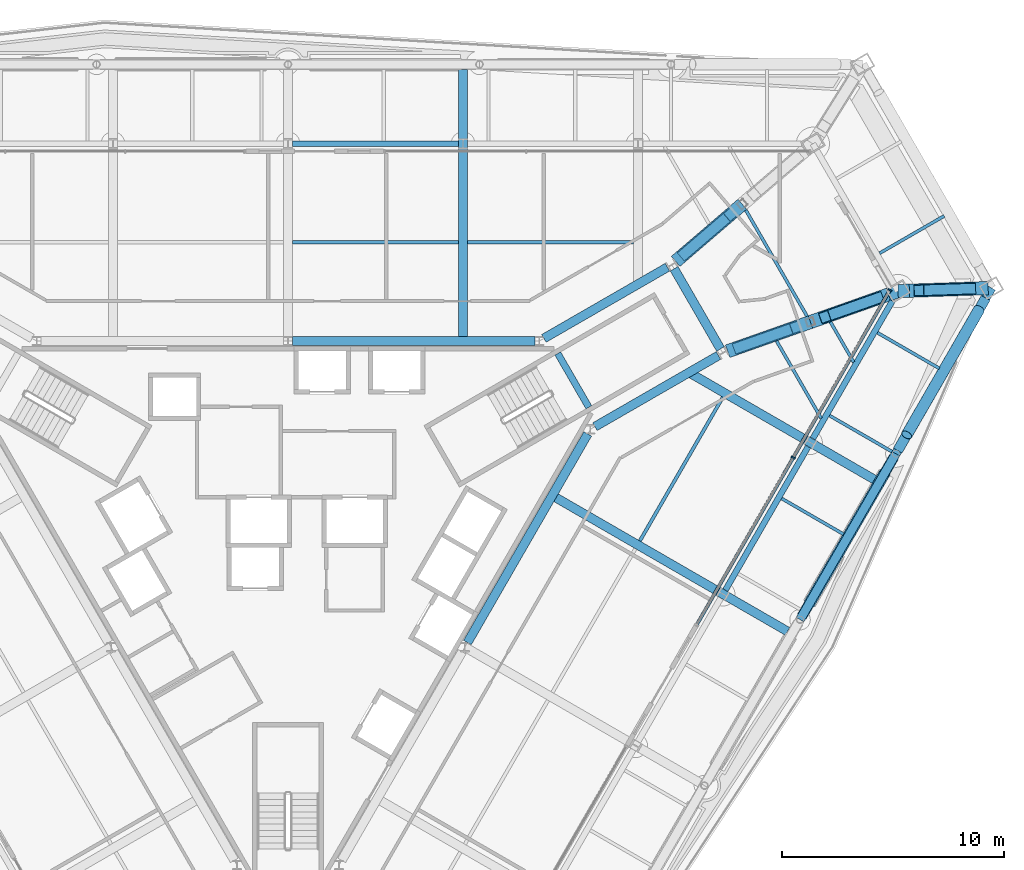
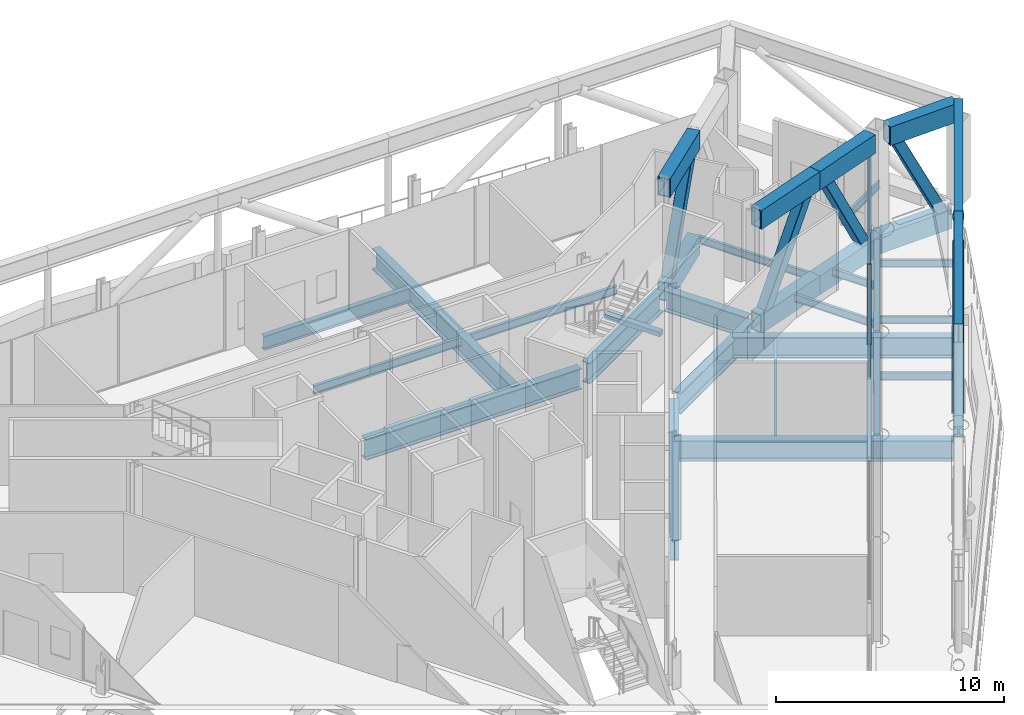
# One storey, part 13 of 26: 34 beams, 10 members, 1 element without a shape of its own.
"""IFC4 building model written with IfcOpenShell, lengths in metres."""

from ifc_helpers import new_model, si_unit, direction, frame, origin, origin_2d, place, context, subcontext, project, spatial, rectangle, hollow_rectangle, hollow_circle, i_section, extrude, material, material_profile, profile_set, type_object, element, aggregate, save


model = new_model("IFC4")

# Units and contexts
model_context = context("Model", 3, precision=1e-05, world=origin(), true_north=direction((0.0, 1.0)))
body_context = subcontext(model_context, "Body", "Model", "MODEL_VIEW")
ifc_project = project(units=[si_unit("LENGTHUNIT", "METRE"), si_unit("AREAUNIT", "SQUARE_METRE"), si_unit("VOLUMEUNIT", "CUBIC_METRE"), si_unit("PLANEANGLEUNIT", "RADIAN"), si_unit("MASSUNIT", "GRAM", prefix="KILO")], contexts=[model_context])

# Site, building, storey
site_placement = place(None, origin())
site = spatial("IfcSite", under=ifc_project, at=site_placement, CompositionType="ELEMENT")
building_placement = place(site_placement, origin())
building = spatial("IfcBuilding", under=site, at=building_placement, Name="Verrane Prism Tower", CompositionType="ELEMENT")
storey_placement = place(building_placement, frame((0.0, 0.0, 87.199951171875)))
storey = spatial("IfcBuildingStorey", under=building, at=storey_placement, Name="L20", CompositionType="ELEMENT", Elevation=87.199951171875)

# Beams
ifc_material_1 = material(Name="Steel A992", Category="steel")
ifc_material_profile_1 = material_profile(ifc_material_1, i_section(OverallWidth=0.45458984375, OverallDepth=0.56884765625, WebThickness=0.077880859375, FlangeThickness=0.124755859375, FilletRadius=0.01513671875, at=origin_2d()), Name="W14x730")
ifc_profile_set_1 = profile_set([ifc_material_profile_1], Name="Steel A992")
beam_type_1 = type_object("IfcBeamType", Name="Belt truss chord W14x730", PredefinedType="BEAM", material=ifc_profile_set_1)
beam_1_placement = place(storey_placement, frame((23.161376953125, -3.21923828125, -0.445556640625), z_axis=(0.500106328585, 0.865964006244, 0.0), x_axis=(-0.865964006244, 0.500106328585, 0.0)))
element("IfcBeam", 1, at=beam_1_placement, inside=storey, type_object=beam_type_1, Name="Belt truss chord L20", PredefinedType="BEAM", context=body_context, shape_type="SweptSolid", body=[
    extrude(i_section(OverallWidth=0.45458984375, OverallDepth=0.56884765625, WebThickness=0.077880859375, FlangeThickness=0.124755859375, FilletRadius=0.01513671875, at=origin_2d()), origin(), (0.0, 0.0, 1.0), 8.312744140625),
])
beam_2_placement = place(storey_placement, frame((27.481201171875, 4.2607421875, -0.445556640625), z_axis=(0.499746404185, 0.866171767898, 0.0), x_axis=(-0.866171767898, 0.499746404185, 0.0)))
element("IfcBeam", 2, at=beam_2_placement, inside=storey, type_object=beam_type_1, Name="Belt truss chord L20", PredefinedType="BEAM", context=body_context, shape_type="SweptSolid", body=[
    extrude(i_section(OverallWidth=0.45458984375, OverallDepth=0.56884765625, WebThickness=0.077880859375, FlangeThickness=0.124755859375, FilletRadius=0.01513671875, at=origin_2d()), origin(), (0.0, 0.0, 1.0), 7.94189453125),
])
ifc_material_2 = material(Name="Steel A992", Category="steel")
ifc_material_profile_2 = material_profile(ifc_material_2, i_section(OverallWidth=0.4013671875, OverallDepth=1.000732421875, WebThickness=0.01904296875, FlangeThickness=0.0361328125, FilletRadius=0.030029296875, at=origin_2d()), Name="W40x249")
ifc_profile_set_2 = profile_set([ifc_material_profile_2], Name="Steel A992")
beam_type_2 = type_object("IfcBeamType", Name="Belt truss chord W40x249", PredefinedType="BEAM", material=ifc_profile_set_2)
beam_3_placement = place(storey_placement, frame((23.080078125, -3.360107421875, 4.939697265625), z_axis=(0.500096766669, 0.865969528313, 0.0), x_axis=(-0.865969528313, 0.500096766669, 0.0)))
element("IfcBeam", 3, at=beam_3_placement, inside=storey, type_object=beam_type_2, Name="Belt truss chord L20", PredefinedType="BEAM", context=body_context, shape_type="SweptSolid", body=[
    extrude(i_section(OverallWidth=0.4013671875, OverallDepth=1.000732421875, WebThickness=0.01904296875, FlangeThickness=0.0361328125, FilletRadius=0.030029296875, at=origin_2d()), origin(), (0.0, 0.0, 1.0), 8.637939453125),
])
beam_4_placement = place(storey_placement, frame((27.39990234375, 4.1201171875, 4.939697265625), z_axis=(0.499762481073, 0.866162491979, 0.0), x_axis=(-0.866162491979, 0.499762481073, 0.0)))
element("IfcBeam", 4, at=beam_4_placement, inside=storey, type_object=beam_type_2, Name="Belt truss chord L20", PredefinedType="BEAM", context=body_context, shape_type="SweptSolid", body=[
    extrude(i_section(OverallWidth=0.4013671875, OverallDepth=1.000732421875, WebThickness=0.01904296875, FlangeThickness=0.0361328125, FilletRadius=0.030029296875, at=origin_2d()), origin(), (0.0, 0.0, 1.0), 8.624267578125),
])

# Members
ifc_material_3 = material(Name="Steel A500 Grade C", Category="steel")
ifc_material_profile_3 = material_profile(ifc_material_3, hollow_circle(Radius=0.25390625, WallThickness=0.0126953125, at=origin_2d()), Name="HSS20.000x0.500")
ifc_profile_set_3 = profile_set([ifc_material_profile_3], Name="Steel A500 Grade C")
member_type_1 = type_object("IfcMemberType", Name="Belt truss diagonal HSS20.000x0.500", PredefinedType="BRACE", material=ifc_profile_set_3)
member_1_placement = place(storey_placement, frame((23.50341796875, -2.626708984375, -0.160888671875), z_axis=(0.410981497335, 0.711574303838, 0.569873862329), x_axis=(-0.865944304384, 0.500140441981, 0.0)))
element("IfcMember", 5, at=member_1_placement, inside=storey, type_object=member_type_1, Name="Belt truss diagonal L20", PredefinedType="BRACE", context=body_context, shape_type="SweptSolid", body=[
    extrude(hollow_circle(Radius=0.25390625, WallThickness=0.0126953125, at=origin_2d()), origin(), (0.0, 0.0, 1.0), 8.264892578125),
])
member_2_placement = place(storey_placement, frame((31.151123046875, 10.621337890625, -0.160888671875), z_axis=(-0.405277647184, -0.70243475166, 0.585094392687), x_axis=(0.866171265767, -0.499747274489, 0.0)))
element("IfcMember", 6, at=member_2_placement, inside=storey, type_object=member_type_1, Name="Belt truss diagonal L20", PredefinedType="BRACE", context=body_context, shape_type="SweptSolid", body=[
    extrude(hollow_circle(Radius=0.25390625, WallThickness=0.0126953125, at=origin_2d()), origin(), (0.0, 0.0, 1.0), 8.0498046875),
])

# Beams
ifc_material_4 = material(Name="Steel A992", Category="steel")
ifc_material_profile_4 = material_profile(ifc_material_4, i_section(OverallWidth=0.140380859375, OverallDepth=0.40380859375, WebThickness=0.007080078125, FlangeThickness=0.01123046875, FilletRadius=0.01025390625, at=origin_2d()), Name="W16x31")
ifc_profile_set_4 = profile_set([ifc_material_profile_4], Name="Steel A992")
beam_type_3 = type_object("IfcBeamType", Name="Floor beam W16x31", PredefinedType="BEAM", material=ifc_profile_set_4)
beam_5_placement = place(storey_placement, frame((29.356201171875, 7.9658203125, -0.36181640625), z_axis=(-0.866021328928, 0.500007057792, 0.0), x_axis=(-0.500007057792, -0.866021328928, 0.0)))
element("IfcBeam", 7, at=beam_5_placement, inside=storey, type_object=beam_type_3, Name="Floor beam L20", PredefinedType="BEAM", context=body_context, shape_type="SweptSolid", body=[
    extrude(i_section(OverallWidth=0.140380859375, OverallDepth=0.40380859375, WebThickness=0.007080078125, FlangeThickness=0.01123046875, FilletRadius=0.01025390625, at=origin_2d()), origin(), (0.0, 0.0, 1.0), 3.2177734375),
])
beam_6_placement = place(storey_placement, frame((27.222900390625, 4.21435546875, -0.36181640625), z_axis=(-0.866024162539, 0.500002149894, 0.0), x_axis=(-0.500002149894, -0.866024162539, 0.0)))
element("IfcBeam", 8, at=beam_6_placement, inside=storey, type_object=beam_type_3, Name="Floor beam L20", PredefinedType="BEAM", context=body_context, shape_type="SweptSolid", body=[
    extrude(i_section(OverallWidth=0.140380859375, OverallDepth=0.40380859375, WebThickness=0.007080078125, FlangeThickness=0.01123046875, FilletRadius=0.01025390625, at=origin_2d()), origin(), (0.0, 0.0, 1.0), 3.2490234375),
])
beam_7_placement = place(storey_placement, frame((25.041259765625, 0.49072265625, -0.36181640625), z_axis=(-0.866024054344, 0.500002337291, 0.0), x_axis=(-0.500002337291, -0.866024054344, 0.0)))
element("IfcBeam", 9, at=beam_7_placement, inside=storey, type_object=beam_type_3, Name="Floor beam L20", PredefinedType="BEAM", context=body_context, shape_type="SweptSolid", body=[
    extrude(i_section(OverallWidth=0.140380859375, OverallDepth=0.40380859375, WebThickness=0.007080078125, FlangeThickness=0.01123046875, FilletRadius=0.01025390625, at=origin_2d()), origin(), (0.0, 0.0, 1.0), 3.2216796875),
])
beam_8_placement = place(storey_placement, frame((25.49658203125, 8.25244140625, -0.36181640625), z_axis=(-0.500084280142, 0.865976739154, 0.0), x_axis=(-0.865976739154, -0.500084280142, 0.0)))
element("IfcBeam", 10, at=beam_8_placement, inside=storey, type_object=beam_type_3, Name="Floor beam L20", PredefinedType="BEAM", context=body_context, shape_type="SweptSolid", body=[
    extrude(i_section(OverallWidth=0.140380859375, OverallDepth=0.40380859375, WebThickness=0.007080078125, FlangeThickness=0.01123046875, FilletRadius=0.01025390625, at=origin_2d()), origin(), (0.0, 0.0, 1.0), 2.083251953125),
])
beam_9_placement = place(storey_placement, frame((24.0322265625, 5.720703125, -0.36181640625), z_axis=(-0.499990884667, 0.866030666461, 0.0), x_axis=(-0.866030666461, -0.499990884667, 0.0)))
element("IfcBeam", 11, at=beam_9_placement, inside=storey, type_object=beam_type_3, Name="Floor beam L20", PredefinedType="BEAM", context=body_context, shape_type="SweptSolid", body=[
    extrude(i_section(OverallWidth=0.140380859375, OverallDepth=0.40380859375, WebThickness=0.007080078125, FlangeThickness=0.01123046875, FilletRadius=0.01025390625, at=origin_2d()), origin(), (0.0, 0.0, 1.0), 4.01513671875),
])
beam_10_placement = place(storey_placement, frame((26.667236328125, 13.15673828125, -0.36181640625), z_axis=(0.866047615473, 0.499961526254, 0.0), x_axis=(-0.499961526254, 0.866047615473, 0.0)))
element("IfcBeam", 12, at=beam_10_placement, inside=storey, type_object=beam_type_3, Name="Floor beam L20", PredefinedType="BEAM", context=body_context, shape_type="SweptSolid", body=[
    extrude(i_section(OverallWidth=0.140380859375, OverallDepth=0.40380859375, WebThickness=0.007080078125, FlangeThickness=0.01123046875, FilletRadius=0.01025390625, at=origin_2d()), origin(), (0.0, 0.0, 1.0), 3.359130859375),
])
beam_11_placement = place(storey_placement, frame((23.396484375, 10.319091796875, -0.36181640625), z_axis=(-0.499999210213, 0.866025859768, 0.0), x_axis=(-0.866025859768, -0.499999210213, 0.0)))
element("IfcBeam", 13, at=beam_11_placement, inside=storey, type_object=beam_type_3, Name="Floor beam L20", PredefinedType="BEAM", context=body_context, shape_type="SweptSolid", body=[
    extrude(i_section(OverallWidth=0.140380859375, OverallDepth=0.40380859375, WebThickness=0.007080078125, FlangeThickness=0.01123046875, FilletRadius=0.01025390625, at=origin_2d()), origin(), (0.0, 0.0, 1.0), 5.5234375),
])
ifc_material_5 = material(Name="Steel A992", Category="steel")
ifc_material_profile_5 = material_profile(ifc_material_5, i_section(OverallWidth=0.15234375, OverallDepth=0.449462890625, WebThickness=0.007568359375, FlangeThickness=0.0107421875, FilletRadius=0.01025390625, at=origin_2d()), Name="W18x35")
ifc_profile_set_5 = profile_set([ifc_material_profile_5], Name="Steel A992")
beam_type_4 = type_object("IfcBeamType", Name="Floor beam W18x35", PredefinedType="BEAM", material=ifc_profile_set_5)
beam_12_placement = place(storey_placement, frame((8.092041015625, 13.64501953125, -0.384765625), z_axis=(1.0, 0.0, 0.0), x_axis=(0.0, 1.0, 0.0)))
element("IfcBeam", 14, at=beam_12_placement, inside=storey, type_object=beam_type_4, Name="Floor beam L20", PredefinedType="BEAM", context=body_context, shape_type="SweptSolid", body=[
    extrude(i_section(OverallWidth=0.15234375, OverallDepth=0.449462890625, WebThickness=0.007568359375, FlangeThickness=0.0107421875, FilletRadius=0.01025390625, at=origin_2d()), origin(), (0.0, 0.0, 1.0), 7.48583984375),
])
beam_13_placement = place(storey_placement, frame((0.201904296875, 13.64501953125, -0.384765625), z_axis=(1.0, 0.0, 0.0), x_axis=(0.0, 1.0, 0.0)))
element("IfcBeam", 15, at=beam_13_placement, inside=storey, type_object=beam_type_4, Name="Floor beam L20", PredefinedType="BEAM", context=body_context, shape_type="SweptSolid", body=[
    extrude(i_section(OverallWidth=0.15234375, OverallDepth=0.449462890625, WebThickness=0.007568359375, FlangeThickness=0.0107421875, FilletRadius=0.01025390625, at=origin_2d()), origin(), (0.0, 0.0, 1.0), 7.486083984375),
])
beam_14_placement = place(storey_placement, frame((15.86083984375, 0.18994140625, -0.384765625), z_axis=(0.499988150718, 0.866032244863, 0.0), x_axis=(-0.866032244863, 0.499988150718, 0.0)))
element("IfcBeam", 16, at=beam_14_placement, inside=storey, type_object=beam_type_4, Name="Floor beam L20", PredefinedType="BEAM", context=body_context, shape_type="SweptSolid", body=[
    extrude(i_section(OverallWidth=0.15234375, OverallDepth=0.449462890625, WebThickness=0.007568359375, FlangeThickness=0.0107421875, FilletRadius=0.01025390625, at=origin_2d()), origin(), (0.0, 0.0, 1.0), 7.476806640625),
])

# Curtain wall, members
ifc_material_6 = material(Name="Aluminium framed insulated glazing", Category="aluminium")
curtain_wall_type = type_object("IfcCurtainWallType", Name="Curtain wall CW-A 8400 module", PredefinedType="NOTDEFINED", material=ifc_material_6)
curtain_wall_placement = place(storey_placement, origin())
curtain_wall = element("IfcCurtainWall", 17, at=curtain_wall_placement, inside=storey, type_object=curtain_wall_type, Name="Refuge lounge glazing south-east face L20 3", PredefinedType="NOTDEFINED")
ifc_material_7 = material(Name="Aluminium alloy 6063-T6", Category="aluminium")
ifc_material_profile_6 = material_profile(ifc_material_7, rectangle(XDim=0.199951171875, YDim=0.070068359375, at=origin_2d()), Name="Mullion 70x200 aluminium")
ifc_profile_set_6 = profile_set([ifc_material_profile_6], Name="Aluminium alloy 6063-T6")
member_type_2 = type_object("IfcMemberType", Name="Mullion 70x200 aluminium", PredefinedType="MULLION", material=ifc_profile_set_6)
member_3_placement = place(storey_placement, frame((22.776123046875, 3.947265625, 0.0), z_axis=(0.0, 0.0, 1.0), x_axis=(-0.86602655117, 0.499998012664, 0.0)))
member_3 = element("IfcMember", 18, at=member_3_placement, type_object=member_type_2, Name="CW20.6.3 mullion 2", PredefinedType="MULLION", context=body_context, shape_type="SweptSolid", body=[
    extrude(rectangle(XDim=0.199951171875, YDim=0.070068359375, at=origin_2d()), origin(), (0.0, 0.0, 1.0), 4.322509765625),
])
member_4_placement = place(storey_placement, frame((27.1328125, 11.493408203125, 0.0), z_axis=(0.0, 0.0, 1.0), x_axis=(-0.86602655117, 0.499998012664, 0.0)))
member_4 = element("IfcMember", 19, at=member_4_placement, type_object=member_type_2, Name="CW20.6.3 mullion 3", PredefinedType="MULLION", context=body_context, shape_type="SweptSolid", body=[
    extrude(rectangle(XDim=0.199951171875, YDim=0.070068359375, at=origin_2d()), origin(), (0.0, 0.0, 1.0), 4.322509765625),
])

# Beams
ifc_material_8 = material(Name="Steel A572 Grade 50", Category="steel")
ifc_material_profile_7 = material_profile(ifc_material_8, hollow_rectangle(XDim=0.60009765625, YDim=1.0, WallThickness=0.06005859375, at=origin_2d()), Name="BOX 1000x600x60")
ifc_profile_set_7 = profile_set([ifc_material_profile_7], Name="Steel A572 Grade 50")
beam_type_5 = type_object("IfcBeamType", Name="Outrigger truss chord BOX 1000x600x60", PredefinedType="BEAM", material=ifc_profile_set_7)
beam_15_placement = place(storey_placement, frame((31.2001953125, 11.572998046875, -0.659912109375), z_axis=(-0.999447538686, -0.033235785134, 0.0), x_axis=(0.033235785134, -0.999447538686, 0.0)))
element("IfcBeam", 20, at=beam_15_placement, inside=storey, type_object=beam_type_5, Name="Outrigger truss chord L20", PredefinedType="BEAM", context=body_context, shape_type="SweptSolid", body=[
    extrude(hollow_rectangle(XDim=0.60009765625, YDim=1.0, WallThickness=0.06005859375, at=origin_2d()), origin(), (0.0, 0.0, 1.0), 3.7021484375),
])
beam_16_placement = place(storey_placement, frame((27.5, 11.449951171875, -0.659912109375), z_axis=(-0.942921452656, -0.33301521605, 0.0), x_axis=(0.33301521605, -0.942921452656, 0.0)))
element("IfcBeam", 21, at=beam_16_placement, inside=storey, type_object=beam_type_5, Name="Outrigger truss chord L20", PredefinedType="BEAM", context=body_context, shape_type="SweptSolid", body=[
    extrude(hollow_rectangle(XDim=0.60009765625, YDim=1.0, WallThickness=0.06005859375, at=origin_2d()), origin(), (0.0, 0.0, 1.0), 4.18896484375),
])
beam_17_placement = place(storey_placement, frame((23.550048828125, 10.054931640625, -0.659912109375), z_axis=(-0.942933378787, -0.332981445682, 0.0), x_axis=(0.332981445682, -0.942933378787, 0.0)))
element("IfcBeam", 22, at=beam_17_placement, inside=storey, type_object=beam_type_5, Name="Outrigger truss chord L20", PredefinedType="BEAM", context=body_context, shape_type="SweptSolid", body=[
    extrude(hollow_rectangle(XDim=0.60009765625, YDim=1.0, WallThickness=0.06005859375, at=origin_2d()), origin(), (0.0, 0.0, 1.0), 3.957763671875),
])
beam_18_placement = place(storey_placement, frame((31.56005859375, 11.5849609375, 4.93994140625), z_axis=(-0.999448866464, -0.033195832932, 0.0), x_axis=(0.033195832932, -0.999448866464, 0.0)))
element("IfcBeam", 23, at=beam_18_placement, inside=storey, type_object=beam_type_5, Name="Outrigger truss chord L20", PredefinedType="BEAM", context=body_context, shape_type="SweptSolid", body=[
    extrude(hollow_rectangle(XDim=0.60009765625, YDim=1.0, WallThickness=0.06005859375, at=origin_2d()), origin(), (0.0, 0.0, 1.0), 3.55224609375),
])
beam_19_placement = place(storey_placement, frame((27.068359375, 11.297607421875, 4.93994140625), z_axis=(-0.942912999978, -0.333039148559, 0.0), x_axis=(0.333039148559, -0.942912999978, 0.0)))
element("IfcBeam", 24, at=beam_19_placement, inside=storey, type_object=beam_type_5, Name="Outrigger truss chord L20", PredefinedType="BEAM", context=body_context, shape_type="SweptSolid", body=[
    extrude(hollow_rectangle(XDim=0.60009765625, YDim=1.0, WallThickness=0.06005859375, at=origin_2d()), origin(), (0.0, 0.0, 1.0), 3.731201171875),
])
beam_20_placement = place(storey_placement, frame((23.550048828125, 10.054931640625, 4.93994140625), z_axis=(-0.942933378787, -0.332981445682, 0.0), x_axis=(0.332981445682, -0.942933378787, 0.0)))
element("IfcBeam", 25, at=beam_20_placement, inside=storey, type_object=beam_type_5, Name="Outrigger truss chord L20", PredefinedType="BEAM", context=body_context, shape_type="SweptSolid", body=[
    extrude(hollow_rectangle(XDim=0.60009765625, YDim=1.0, WallThickness=0.06005859375, at=origin_2d()), origin(), (0.0, 0.0, 1.0), 3.957763671875),
])
for number, where, z_axis, x_axis, name in (
    (26, (20.47998046875, 15.364990234375, -0.659912109375), (-0.759348064217, -0.650684652785, 0.0), (0.650684652785, -0.759348064217, 0.0), "Outrigger truss chord L20"),
    (27, (20.47998046875, 15.364990234375, 4.93994140625), (-0.759348064217, -0.650684652785, 0.0), (0.650684652785, -0.759348064217, 0.0), "Outrigger truss chord L20"),
):
    element("IfcBeam", number, at=place(storey_placement, frame(where, z_axis=z_axis, x_axis=x_axis)), inside=storey, type_object=beam_type_5, Name=name, PredefinedType="BEAM", context=body_context, shape_type="SweptSolid", body=[
        extrude(hollow_rectangle(XDim=0.60009765625, YDim=1.0, WallThickness=0.06005859375, at=origin_2d()), origin(), (0.0, 0.0, 1.0), 3.95654296875),
    ])

# Members
ifc_material_9 = material(Name="Steel A500 Grade C", Category="steel")
ifc_material_profile_8 = material_profile(ifc_material_9, hollow_rectangle(XDim=0.508056640625, YDim=0.508056640625, WallThickness=0.01904296875, InnerFilletRadius=0.009521484375, OuterFilletRadius=0.028564453125, at=origin_2d()), Name="HSS20x20x3/4")
ifc_profile_set_8 = profile_set([ifc_material_profile_8], Name="Steel A500 Grade C")
member_type_3 = type_object("IfcMemberType", Name="Outrigger truss diagonal HSS20x20x3/4", PredefinedType="BRACE", material=ifc_profile_set_8)
member_5_placement = place(storey_placement, frame((30.769287109375, 11.55859375, -0.219970703125), z_axis=(-0.442390836034, -0.014703071401, 0.896701827747), x_axis=(0.033217138423, -0.999448158593, 0.0)))
element("IfcMember", 28, at=member_5_placement, inside=storey, type_object=member_type_3, Name="Outrigger truss diagonal L20", PredefinedType="BRACE", context=body_context, shape_type="SweptSolid", body=[
    extrude(hollow_rectangle(XDim=0.508056640625, YDim=0.508056640625, WallThickness=0.01904296875, InnerFilletRadius=0.009521484375, OuterFilletRadius=0.028564453125, at=origin_2d()), origin(), (0.0, 0.0, 1.0), 5.263671875),
])
member_6_placement = place(storey_placement, frame((26.593994140625, 11.130126953125, -0.219970703125), z_axis=(-0.446793456558, -0.157828456211, 0.880605351782), x_axis=(0.333076539981, -0.942899792403, 0.0)))
element("IfcMember", 29, at=member_6_placement, inside=storey, type_object=member_type_3, Name="Outrigger truss diagonal L20", PredefinedType="BRACE", context=body_context, shape_type="SweptSolid", body=[
    extrude(hollow_rectangle(XDim=0.508056640625, YDim=0.508056640625, WallThickness=0.01904296875, InnerFilletRadius=0.009521484375, OuterFilletRadius=0.028564453125, at=origin_2d()), origin(), (0.0, 0.0, 1.0), 5.35986328125),
])
member_7_placement = place(storey_placement, frame((20.3125, 8.91162109375, -0.219970703125), z_axis=(0.471770651239, 0.166602128594, 0.865838427986), x_axis=(-0.332988672441, 0.942930826745, 0.0)))
element("IfcMember", 30, at=member_7_placement, inside=storey, type_object=member_type_3, Name="Outrigger truss diagonal L20", PredefinedType="BRACE", context=body_context, shape_type="SweptSolid", body=[
    extrude(hollow_rectangle(XDim=0.508056640625, YDim=0.508056640625, WallThickness=0.01904296875, InnerFilletRadius=0.009521484375, OuterFilletRadius=0.028564453125, at=origin_2d()), origin(), (0.0, 0.0, 1.0), 5.451416015625),
])
member_8_placement = place(storey_placement, frame((17.873779296875, 13.131591796875, -0.219970703125), z_axis=(0.379780350266, 0.325449230455, 0.865938614423), x_axis=(-0.650702868135, 0.759332455122, 0.0)))
element("IfcMember", 31, at=member_8_placement, inside=storey, type_object=member_type_3, Name="Outrigger truss diagonal L20", PredefinedType="BRACE", context=body_context, shape_type="SweptSolid", body=[
    extrude(hollow_rectangle(XDim=0.508056640625, YDim=0.508056640625, WallThickness=0.01904296875, InnerFilletRadius=0.009521484375, OuterFilletRadius=0.028564453125, at=origin_2d()), origin(), (0.0, 0.0, 1.0), 5.45068359375),
])

# Beams
ifc_material_10 = material(Name="Steel A992", Category="steel")
ifc_material_profile_9 = material_profile(ifc_material_10, i_section(OverallWidth=0.2666015625, OverallDepth=0.7568359375, WebThickness=0.013916015625, FlangeThickness=0.019287109375, FilletRadius=0.0166015625, at=origin_2d()), Name="W30x108")
ifc_profile_set_9 = profile_set([ifc_material_profile_9], Name="Steel A992")
beam_type_6 = type_object("IfcBeamType", Name="Spandrel beam W30x108", PredefinedType="SPANDREL", material=ifc_profile_set_9)
beam_21_placement = place(storey_placement, frame((7.677978515625, 18.090087890625, -0.538330078125), z_axis=(-1.0, 0.0, 0.0), x_axis=(0.0, -1.0, 0.0)))
element("IfcBeam", 32, at=beam_21_placement, inside=storey, type_object=beam_type_6, Name="Spandrel beam L20", PredefinedType="SPANDREL", context=body_context, shape_type="SweptSolid", body=[
    extrude(i_section(OverallWidth=0.2666015625, OverallDepth=0.7568359375, WebThickness=0.013916015625, FlangeThickness=0.019287109375, FilletRadius=0.0166015625, at=origin_2d()), origin(), (0.0, 0.0, 1.0), 7.4658203125),
])
beam_22_placement = place(storey_placement, frame((19.716064453125, -2.0263671875, -0.538330078125), z_axis=(0.499679960224, 0.866210100005, 0.0), x_axis=(-0.866210100005, 0.499679960224, 0.0)))
element("IfcBeam", 33, at=beam_22_placement, inside=storey, type_object=beam_type_6, Name="Spandrel beam L20", PredefinedType="SPANDREL", context=body_context, shape_type="SweptSolid", body=[
    extrude(i_section(OverallWidth=0.2666015625, OverallDepth=0.7568359375, WebThickness=0.013916015625, FlangeThickness=0.019287109375, FilletRadius=0.0166015625, at=origin_2d()), origin(), (0.0, 0.0, 1.0), 7.4609375),
])
beam_23_placement = place(storey_placement, frame((23.65625, 4.8037109375, -0.538330078125), z_axis=(0.50063155155, 0.865660470157, 0.0), x_axis=(-0.865660470157, 0.50063155155, 0.0)))
element("IfcBeam", 34, at=beam_23_placement, inside=storey, type_object=beam_type_6, Name="Spandrel beam L20", PredefinedType="SPANDREL", context=body_context, shape_type="SweptSolid", body=[
    extrude(i_section(OverallWidth=0.2666015625, OverallDepth=0.7568359375, WebThickness=0.013916015625, FlangeThickness=0.019287109375, FilletRadius=0.0166015625, at=origin_2d()), origin(), (0.0, 0.0, 1.0), 7.158447265625),
])
ifc_material_11 = material(Name="Concrete C40/50", Category="concrete")
ifc_material_profile_10 = material_profile(ifc_material_11, rectangle(XDim=0.300048828125, YDim=0.25, at=origin_2d()), Name="RC 300x250")
ifc_profile_set_10 = profile_set([ifc_material_profile_10], Name="Concrete C40/50")
beam_type_7 = type_object("IfcBeamType", Name="Stair landing trimmer beam 300x250 concrete C40/50", PredefinedType="BEAM", material=ifc_profile_set_10)
beam_24_placement = place(storey_placement, frame((12.160400390625, 8.637451171875, 2.47509765625), z_axis=(0.500049511043, -0.865996816683, 0.0), x_axis=(0.865996816683, 0.500049511043, 0.0)))
element("IfcBeam", 35, at=beam_24_placement, inside=storey, type_object=beam_type_7, Name="Stair 1 landing trimmer beam", PredefinedType="BEAM", context=body_context, shape_type="SweptSolid", body=[
    extrude(rectangle(XDim=0.300048828125, YDim=0.25, at=origin_2d()), origin(), (0.0, 0.0, 1.0), 2.800048828125),
])
ifc_material_12 = material(Name="Steel A992", Category="steel")
ifc_material_profile_11 = material_profile(ifc_material_12, i_section(OverallWidth=0.40380859375, OverallDepth=1.11767578125, WebThickness=0.026123046875, FlangeThickness=0.044921875, FilletRadius=0.02001953125, at=origin_2d()), Name="W44x335")
ifc_profile_set_11 = profile_set([ifc_material_profile_11], Name="Steel A992")
beam_type_8 = type_object("IfcBeamType", Name="Transfer girder W44x335", PredefinedType="BEAM", material=ifc_profile_set_11)
beam_25_placement = place(storey_placement, frame((13.833251953125, 5.337158203125, -0.808837890625), z_axis=(0.86646365882, 0.499240150574, 0.0), x_axis=(-0.499240150574, 0.86646365882, 0.0)))
element("IfcBeam", 36, at=beam_25_placement, inside=storey, type_object=beam_type_8, Name="Transfer girder L20", PredefinedType="BEAM", context=body_context, shape_type="SweptSolid", body=[
    extrude(i_section(OverallWidth=0.40380859375, OverallDepth=1.11767578125, WebThickness=0.026123046875, FlangeThickness=0.044921875, FilletRadius=0.02001953125, at=origin_2d()), origin(), (0.0, 0.0, 1.0), 6.42822265625),
])
beam_26_placement = place(storey_placement, frame((19.4951171875, 8.84130859375, -0.808837890625), z_axis=(-0.500349643494, 0.865823442888, 0.0), x_axis=(-0.865823442888, -0.500349643494, 0.0)))
element("IfcBeam", 37, at=beam_26_placement, inside=storey, type_object=beam_type_8, Name="Transfer girder L20", PredefinedType="BEAM", context=body_context, shape_type="SweptSolid", body=[
    extrude(i_section(OverallWidth=0.40380859375, OverallDepth=1.11767578125, WebThickness=0.026123046875, FlangeThickness=0.044921875, FilletRadius=0.02001953125, at=origin_2d()), origin(), (0.0, 0.0, 1.0), 4.177734375),
])
beam_27_placement = place(storey_placement, frame((17.10302734375, 12.526611328125, -0.808837890625), z_axis=(-0.866447229751, -0.499268663203, 0.0), x_axis=(0.499268663203, -0.866447229751, 0.0)))
element("IfcBeam", 38, at=beam_27_placement, inside=storey, type_object=beam_type_8, Name="Transfer girder L20", PredefinedType="BEAM", context=body_context, shape_type="SweptSolid", body=[
    extrude(i_section(OverallWidth=0.40380859375, OverallDepth=1.11767578125, WebThickness=0.026123046875, FlangeThickness=0.044921875, FilletRadius=0.02001953125, at=origin_2d()), origin(), (0.0, 0.0, 1.0), 6.428466796875),
])
beam_28_placement = place(storey_placement, frame((11.126708984375, 9.199951171875, -0.808837890625), z_axis=(-1.0, 0.0, 0.0), x_axis=(0.0, -1.0, 0.0)))
element("IfcBeam", 39, at=beam_28_placement, inside=storey, type_object=beam_type_8, Name="Transfer girder L20", PredefinedType="BEAM", context=body_context, shape_type="SweptSolid", body=[
    extrude(i_section(OverallWidth=0.40380859375, OverallDepth=1.11767578125, WebThickness=0.026123046875, FlangeThickness=0.044921875, FilletRadius=0.02001953125, at=origin_2d()), origin(), (0.0, 0.0, 1.0), 10.923583984375),
])
beam_29_placement = place(storey_placement, frame((8.090087890625, -4.3916015625, -0.808837890625), z_axis=(0.499371892062, 0.866387738498, 0.0), x_axis=(-0.866387738498, 0.499371892062, 0.0)))
element("IfcBeam", 40, at=beam_29_placement, inside=storey, type_object=beam_type_8, Name="Transfer girder L20", PredefinedType="BEAM", context=body_context, shape_type="SweptSolid", body=[
    extrude(i_section(OverallWidth=0.40380859375, OverallDepth=1.11767578125, WebThickness=0.026123046875, FlangeThickness=0.044921875, FilletRadius=0.02001953125, at=origin_2d()), origin(), (0.0, 0.0, 1.0), 10.853515625),
])
beam_30_placement = place(storey_placement, frame((7.889892578125, 21.442626953125, -0.71875), z_axis=(0.0, -1.0, 0.0), x_axis=(1.0, 0.0, 0.0)))
element("IfcBeam", 41, at=beam_30_placement, inside=storey, type_object=beam_type_8, Name="Transfer girder L20", PredefinedType="BEAM", context=body_context, shape_type="SweptSolid", body=[
    extrude(i_section(OverallWidth=0.40380859375, OverallDepth=1.11767578125, WebThickness=0.026123046875, FlangeThickness=0.044921875, FilletRadius=0.02001953125, at=origin_2d()), origin(), (0.0, 0.0, 1.0), 12.24267578125),
])
beam_31_placement = place(storey_placement, frame((22.515380859375, -3.887451171875, -0.71875), z_axis=(-0.866026229868, 0.499998569178, 0.0), x_axis=(-0.499998569178, -0.866026229868, 0.0)))
element("IfcBeam", 42, at=beam_31_placement, inside=storey, type_object=beam_type_8, Name="Transfer girder L20", PredefinedType="BEAM", context=body_context, shape_type="SweptSolid", body=[
    extrude(i_section(OverallWidth=0.40380859375, OverallDepth=1.11767578125, WebThickness=0.026123046875, FlangeThickness=0.044921875, FilletRadius=0.02001953125, at=origin_2d()), origin(), (0.0, 0.0, 1.0), 12.24609375),
])
beam_32_placement = place(storey_placement, frame((26.4580078125, 2.941162109375, -0.71875), z_axis=(-0.866036909293, 0.499980071345, 0.0), x_axis=(-0.499980071345, -0.866036909293, 0.0)))
element("IfcBeam", 43, at=beam_32_placement, inside=storey, type_object=beam_type_8, Name="Transfer girder L20", PredefinedType="BEAM", context=body_context, shape_type="SweptSolid", body=[
    extrude(i_section(OverallWidth=0.40380859375, OverallDepth=1.11767578125, WebThickness=0.026123046875, FlangeThickness=0.044921875, FilletRadius=0.02001953125, at=origin_2d()), origin(), (0.0, 0.0, 1.0), 9.68017578125),
])

# Member
ifc_material_13 = material(Name="Aluminium alloy 6063-T6", Category="aluminium")
ifc_material_profile_12 = material_profile(ifc_material_13, rectangle(XDim=0.14990234375, YDim=0.070068359375, at=origin_2d()), Name="Transom 70x150 aluminium")
ifc_profile_set_12 = profile_set([ifc_material_profile_12], Name="Aluminium alloy 6063-T6")
member_type_4 = type_object("IfcMemberType", Name="Transom 70x150 aluminium", PredefinedType="USERDEFINED", material=ifc_profile_set_12)
member_9_placement = place(storey_placement, frame((18.436767578125, -3.568603515625, 0.03515625), z_axis=(0.499997106196, 0.866027074516, 0.0), x_axis=(-0.866027074516, 0.499997106196, 0.0)))
member_9 = element("IfcMember", 44, at=member_9_placement, type_object=member_type_4, Name="CW20.6.3 transom 1", ObjectType="TRANSOM", PredefinedType="USERDEFINED", context=body_context, shape_type="SweptSolid", body=[
    extrude(rectangle(XDim=0.14990234375, YDim=0.070068359375, at=origin_2d()), origin(), (0.0, 0.0, 1.0), 8.6435546875),
])

member_10_placement = place(storey_placement, frame((22.793701171875, 3.9775390625, 0.03515625), z_axis=(0.499997106196, 0.866027074516, 0.0), x_axis=(-0.866027074516, 0.499997106196, 0.0)))
member_10 = element("IfcMember", 45, at=member_10_placement, type_object=member_type_4, Name="CW20.6.3 transom 2", ObjectType="TRANSOM", PredefinedType="USERDEFINED", context=body_context, shape_type="SweptSolid", body=[
    extrude(rectangle(XDim=0.14990234375, YDim=0.070068359375, at=origin_2d()), origin(), (0.0, 0.0, 1.0), 8.6435546875),
])

aggregate(curtain_wall, [member_3, member_4, member_9, member_10])

save(model, "model.ifc")
